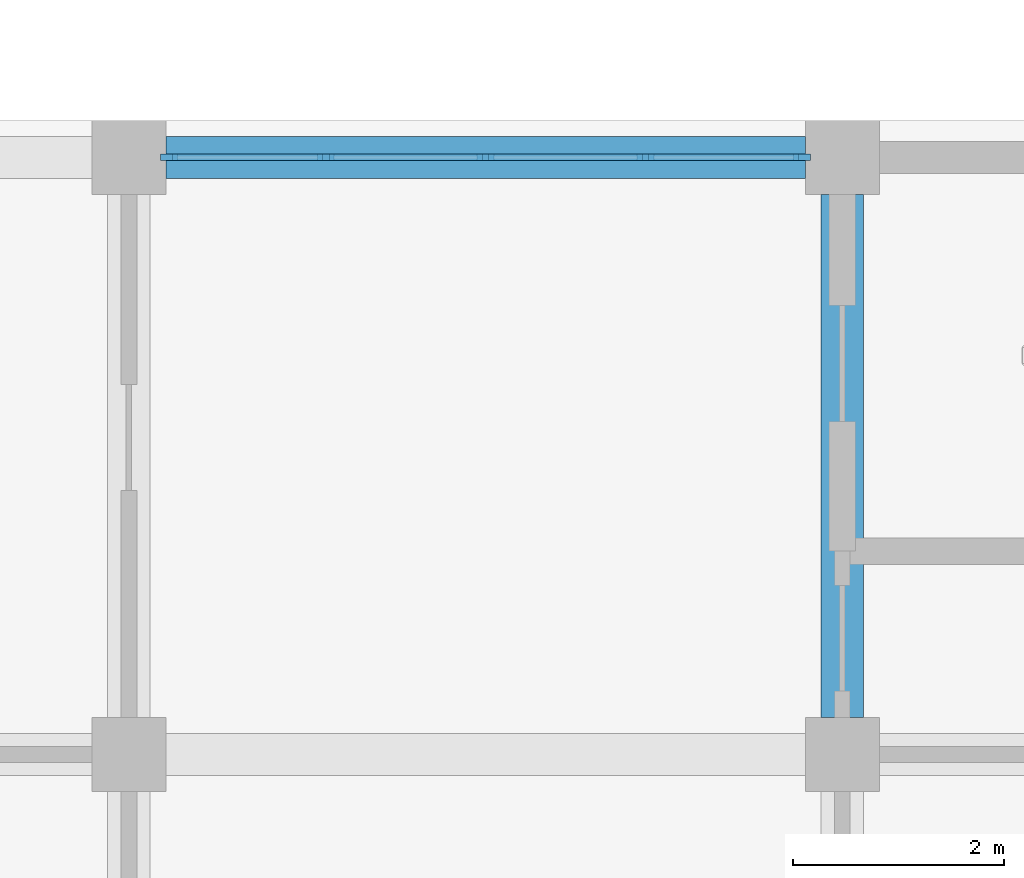
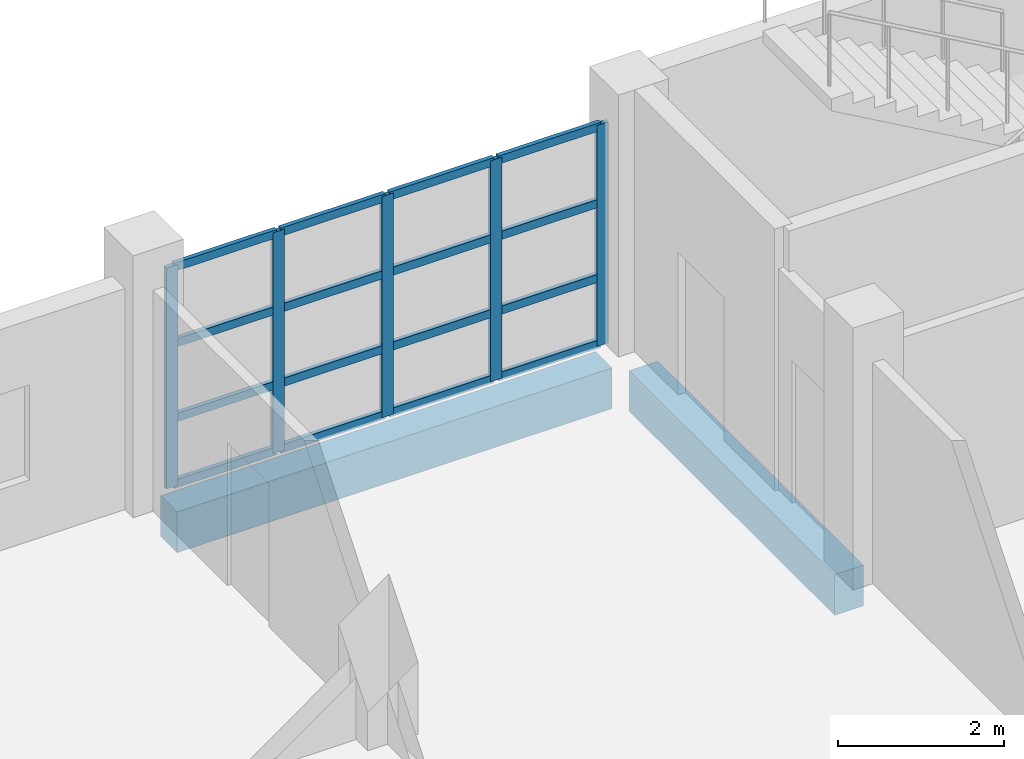
# One storey, part 8 of 31: 21 members, 2 beams, 1 element without a shape of its own.
"""IFC4 building model written with IfcOpenShell, lengths in metres."""

from ifc_helpers import new_model, si_unit, direction, frame, origin, origin_2d, place, context, subcontext, project, spatial, rectangle, extrude, material, layer, layer_set, material_profile, profile_set, type_object, element, aggregate, save


model = new_model("IFC4")

# Units and contexts
model_context = context("Model", 3, precision=1e-05, world=origin(), true_north=direction((0.0, 1.0)))
body_context = subcontext(model_context, "Body", "Model", "MODEL_VIEW")
ifc_project = project(units=[si_unit("LENGTHUNIT", "METRE"), si_unit("AREAUNIT", "SQUARE_METRE"), si_unit("VOLUMEUNIT", "CUBIC_METRE"), si_unit("PLANEANGLEUNIT", "RADIAN"), si_unit("MASSUNIT", "GRAM", prefix="KILO")], contexts=[model_context])

# Site, building, storey
site_placement = place(None, origin())
site = spatial("IfcSite", under=ifc_project, at=site_placement, CompositionType="ELEMENT")
building_placement = place(site_placement, origin())
building = spatial("IfcBuilding", under=site, at=building_placement, Name="Corbel Stack Research Tower", CompositionType="ELEMENT")
storey_placement = place(building_placement, frame((0.0, 0.0, 15.39990234375)))
storey = spatial("IfcBuildingStorey", under=building, at=storey_placement, Name="L03", CompositionType="ELEMENT", Elevation=15.39990234375)

# Curtain wall, members
ifc_material_1 = material(Name="Aluminium", Category="aluminium")
ifc_layer = layer(ifc_material_1, 0.14990234375)
ifc_layer_set = layer_set([ifc_layer], Name="Aluminium")
curtain_wall_type = type_object("IfcCurtainWallType", Name="CW5 main facade curtain wall", PredefinedType="NOTDEFINED", material=ifc_layer_set)
curtain_wall_placement = place(storey_placement, origin())
curtain_wall = element("IfcCurtainWall", 1, at=curtain_wall_placement, inside=storey, type_object=curtain_wall_type, Name="Main facade curtain wall L03 4", PredefinedType="NOTDEFINED")
ifc_material_2 = material(Name="Aluminium", Category="aluminium")
ifc_material_profile_1 = material_profile(ifc_material_2, rectangle(XDim=0.06005859375, YDim=0.159912109375, at=origin_2d()), Name="Mullion 60 x 160")
ifc_profile_set_1 = profile_set([ifc_material_profile_1], Name="Aluminium")
member_type_1 = type_object("IfcMemberType", Name="CW5 mullion 60 x 160", PredefinedType="MULLION", material=ifc_profile_set_1)
member_1_placement = place(storey_placement, frame((87.330078125, 23.64990234375, 0.0), z_axis=(0.0, 0.0, 1.0), x_axis=(0.0, 1.0, 0.0)))
member_1 = element("IfcMember", 2, at=member_1_placement, type_object=member_type_1, Name="CW5 mullion 1", PredefinedType="MULLION", context=body_context, shape_type="SweptSolid", body=[
    extrude(rectangle(XDim=0.06005859375, YDim=0.159912109375, at=origin_2d()), origin(), (0.0, 0.0, 1.0), 3.25),
])
member_2_placement = place(storey_placement, frame((88.8125, 23.64990234375, 0.0), z_axis=(0.0, 0.0, 1.0), x_axis=(0.0, 1.0, 0.0)))
member_2 = element("IfcMember", 3, at=member_2_placement, type_object=member_type_1, Name="CW5 mullion 2", PredefinedType="MULLION", context=body_context, shape_type="SweptSolid", body=[
    extrude(rectangle(XDim=0.06005859375, YDim=0.159912109375, at=origin_2d()), origin(), (0.0, 0.0, 1.0), 3.25),
])
member_3_placement = place(storey_placement, frame((90.324951171875, 23.64990234375, 0.0), z_axis=(0.0, 0.0, 1.0), x_axis=(0.0, 1.0, 0.0)))
member_3 = element("IfcMember", 4, at=member_3_placement, type_object=member_type_1, Name="CW5 mullion 3", PredefinedType="MULLION", context=body_context, shape_type="SweptSolid", body=[
    extrude(rectangle(XDim=0.06005859375, YDim=0.159912109375, at=origin_2d()), origin(), (0.0, 0.0, 1.0), 3.25),
])
member_4_placement = place(storey_placement, frame((91.83740234375, 23.64990234375, 0.0), z_axis=(0.0, 0.0, 1.0), x_axis=(0.0, 1.0, 0.0)))
member_4 = element("IfcMember", 5, at=member_4_placement, type_object=member_type_1, Name="CW5 mullion 4", PredefinedType="MULLION", context=body_context, shape_type="SweptSolid", body=[
    extrude(rectangle(XDim=0.06005859375, YDim=0.159912109375, at=origin_2d()), origin(), (0.0, 0.0, 1.0), 3.25),
])
member_5_placement = place(storey_placement, frame((93.320068359375, 23.64990234375, 0.0), z_axis=(0.0, 0.0, 1.0), x_axis=(0.0, 1.0, 0.0)))
member_5 = element("IfcMember", 6, at=member_5_placement, type_object=member_type_1, Name="CW5 mullion 5", PredefinedType="MULLION", context=body_context, shape_type="SweptSolid", body=[
    extrude(rectangle(XDim=0.06005859375, YDim=0.159912109375, at=origin_2d()), origin(), (0.0, 0.0, 1.0), 3.25),
])
ifc_material_3 = material(Name="Aluminium", Category="aluminium")
ifc_material_profile_2 = material_profile(ifc_material_3, rectangle(XDim=0.06005859375, YDim=0.1201171875, at=origin_2d()), Name="Transom 60 x 120")
ifc_profile_set_2 = profile_set([ifc_material_profile_2], Name="Aluminium")
member_type_2 = type_object("IfcMemberType", Name="CW5 transom 60 x 120", PredefinedType="USERDEFINED", material=ifc_profile_set_2)
member_6_placement = place(storey_placement, frame((87.360107421875, 23.64990234375, 0.030029296875), z_axis=(1.0, 0.0, 0.0), x_axis=(0.0, 1.0, 0.0)))
member_6 = element("IfcMember", 7, at=member_6_placement, type_object=member_type_2, Name="CW5 transom 1.1", ObjectType="TRANSOM", PredefinedType="USERDEFINED", context=body_context, shape_type="SweptSolid", body=[
    extrude(rectangle(XDim=0.06005859375, YDim=0.1201171875, at=origin_2d()), origin(), (0.0, 0.0, 1.0), 1.42236328125),
])
member_7_placement = place(storey_placement, frame((87.360107421875, 23.64990234375, 1.0), z_axis=(1.0, 0.0, 0.0), x_axis=(0.0, 1.0, 0.0)))
member_7 = element("IfcMember", 8, at=member_7_placement, type_object=member_type_2, Name="CW5 transom 1.2", ObjectType="TRANSOM", PredefinedType="USERDEFINED", context=body_context, shape_type="SweptSolid", body=[
    extrude(rectangle(XDim=0.06005859375, YDim=0.1201171875, at=origin_2d()), origin(), (0.0, 0.0, 1.0), 1.42236328125),
])
member_8_placement = place(storey_placement, frame((87.360107421875, 23.64990234375, 2.10009765625), z_axis=(1.0, 0.0, 0.0), x_axis=(0.0, 1.0, 0.0)))
member_8 = element("IfcMember", 9, at=member_8_placement, type_object=member_type_2, Name="CW5 transom 1.3", ObjectType="TRANSOM", PredefinedType="USERDEFINED", context=body_context, shape_type="SweptSolid", body=[
    extrude(rectangle(XDim=0.06005859375, YDim=0.1201171875, at=origin_2d()), origin(), (0.0, 0.0, 1.0), 1.42236328125),
])
member_9_placement = place(storey_placement, frame((87.360107421875, 23.64990234375, 3.22021484375), z_axis=(1.0, 0.0, 0.0), x_axis=(0.0, 1.0, 0.0)))
member_9 = element("IfcMember", 10, at=member_9_placement, type_object=member_type_2, Name="CW5 transom 1.4", ObjectType="TRANSOM", PredefinedType="USERDEFINED", context=body_context, shape_type="SweptSolid", body=[
    extrude(rectangle(XDim=0.06005859375, YDim=0.1201171875, at=origin_2d()), origin(), (0.0, 0.0, 1.0), 1.42236328125),
])
member_10_placement = place(storey_placement, frame((88.842529296875, 23.64990234375, 0.030029296875), z_axis=(1.0, 0.0, 0.0), x_axis=(0.0, 1.0, 0.0)))
member_10 = element("IfcMember", 11, at=member_10_placement, type_object=member_type_2, Name="CW5 transom 2.1", ObjectType="TRANSOM", PredefinedType="USERDEFINED", context=body_context, shape_type="SweptSolid", body=[
    extrude(rectangle(XDim=0.06005859375, YDim=0.1201171875, at=origin_2d()), origin(), (0.0, 0.0, 1.0), 1.452392578125),
])
member_11_placement = place(storey_placement, frame((88.842529296875, 23.64990234375, 1.0), z_axis=(1.0, 0.0, 0.0), x_axis=(0.0, 1.0, 0.0)))
member_11 = element("IfcMember", 12, at=member_11_placement, type_object=member_type_2, Name="CW5 transom 2.2", ObjectType="TRANSOM", PredefinedType="USERDEFINED", context=body_context, shape_type="SweptSolid", body=[
    extrude(rectangle(XDim=0.06005859375, YDim=0.1201171875, at=origin_2d()), origin(), (0.0, 0.0, 1.0), 1.452392578125),
])
member_12_placement = place(storey_placement, frame((88.842529296875, 23.64990234375, 2.10009765625), z_axis=(1.0, 0.0, 0.0), x_axis=(0.0, 1.0, 0.0)))
member_12 = element("IfcMember", 13, at=member_12_placement, type_object=member_type_2, Name="CW5 transom 2.3", ObjectType="TRANSOM", PredefinedType="USERDEFINED", context=body_context, shape_type="SweptSolid", body=[
    extrude(rectangle(XDim=0.06005859375, YDim=0.1201171875, at=origin_2d()), origin(), (0.0, 0.0, 1.0), 1.452392578125),
])
member_13_placement = place(storey_placement, frame((88.842529296875, 23.64990234375, 3.22021484375), z_axis=(1.0, 0.0, 0.0), x_axis=(0.0, 1.0, 0.0)))
member_13 = element("IfcMember", 14, at=member_13_placement, type_object=member_type_2, Name="CW5 transom 2.4", ObjectType="TRANSOM", PredefinedType="USERDEFINED", context=body_context, shape_type="SweptSolid", body=[
    extrude(rectangle(XDim=0.06005859375, YDim=0.1201171875, at=origin_2d()), origin(), (0.0, 0.0, 1.0), 1.452392578125),
])
member_14_placement = place(storey_placement, frame((90.35498046875, 23.64990234375, 0.030029296875), z_axis=(1.0, 0.0, 0.0), x_axis=(0.0, 1.0, 0.0)))
member_14 = element("IfcMember", 15, at=member_14_placement, type_object=member_type_2, Name="CW5 transom 3.1", ObjectType="TRANSOM", PredefinedType="USERDEFINED", context=body_context, shape_type="SweptSolid", body=[
    extrude(rectangle(XDim=0.06005859375, YDim=0.1201171875, at=origin_2d()), origin(), (0.0, 0.0, 1.0), 1.45263671875),
])
member_15_placement = place(storey_placement, frame((90.35498046875, 23.64990234375, 1.0), z_axis=(1.0, 0.0, 0.0), x_axis=(0.0, 1.0, 0.0)))
member_15 = element("IfcMember", 16, at=member_15_placement, type_object=member_type_2, Name="CW5 transom 3.2", ObjectType="TRANSOM", PredefinedType="USERDEFINED", context=body_context, shape_type="SweptSolid", body=[
    extrude(rectangle(XDim=0.06005859375, YDim=0.1201171875, at=origin_2d()), origin(), (0.0, 0.0, 1.0), 1.45263671875),
])
member_16_placement = place(storey_placement, frame((90.35498046875, 23.64990234375, 2.10009765625), z_axis=(1.0, 0.0, 0.0), x_axis=(0.0, 1.0, 0.0)))
member_16 = element("IfcMember", 17, at=member_16_placement, type_object=member_type_2, Name="CW5 transom 3.3", ObjectType="TRANSOM", PredefinedType="USERDEFINED", context=body_context, shape_type="SweptSolid", body=[
    extrude(rectangle(XDim=0.06005859375, YDim=0.1201171875, at=origin_2d()), origin(), (0.0, 0.0, 1.0), 1.45263671875),
])
member_17_placement = place(storey_placement, frame((90.35498046875, 23.64990234375, 3.22021484375), z_axis=(1.0, 0.0, 0.0), x_axis=(0.0, 1.0, 0.0)))
member_17 = element("IfcMember", 18, at=member_17_placement, type_object=member_type_2, Name="CW5 transom 3.4", ObjectType="TRANSOM", PredefinedType="USERDEFINED", context=body_context, shape_type="SweptSolid", body=[
    extrude(rectangle(XDim=0.06005859375, YDim=0.1201171875, at=origin_2d()), origin(), (0.0, 0.0, 1.0), 1.45263671875),
])
member_18_placement = place(storey_placement, frame((91.867431640625, 23.64990234375, 0.030029296875), z_axis=(1.0, 0.0, 0.0), x_axis=(0.0, 1.0, 0.0)))
member_18 = element("IfcMember", 19, at=member_18_placement, type_object=member_type_2, Name="CW5 transom 4.1", ObjectType="TRANSOM", PredefinedType="USERDEFINED", context=body_context, shape_type="SweptSolid", body=[
    extrude(rectangle(XDim=0.06005859375, YDim=0.1201171875, at=origin_2d()), origin(), (0.0, 0.0, 1.0), 1.422607421875),
])
member_19_placement = place(storey_placement, frame((91.867431640625, 23.64990234375, 1.0), z_axis=(1.0, 0.0, 0.0), x_axis=(0.0, 1.0, 0.0)))
member_19 = element("IfcMember", 20, at=member_19_placement, type_object=member_type_2, Name="CW5 transom 4.2", ObjectType="TRANSOM", PredefinedType="USERDEFINED", context=body_context, shape_type="SweptSolid", body=[
    extrude(rectangle(XDim=0.06005859375, YDim=0.1201171875, at=origin_2d()), origin(), (0.0, 0.0, 1.0), 1.422607421875),
])
member_20_placement = place(storey_placement, frame((91.867431640625, 23.64990234375, 2.10009765625), z_axis=(1.0, 0.0, 0.0), x_axis=(0.0, 1.0, 0.0)))
member_20 = element("IfcMember", 21, at=member_20_placement, type_object=member_type_2, Name="CW5 transom 4.3", ObjectType="TRANSOM", PredefinedType="USERDEFINED", context=body_context, shape_type="SweptSolid", body=[
    extrude(rectangle(XDim=0.06005859375, YDim=0.1201171875, at=origin_2d()), origin(), (0.0, 0.0, 1.0), 1.422607421875),
])
member_21_placement = place(storey_placement, frame((91.867431640625, 23.64990234375, 3.22021484375), z_axis=(1.0, 0.0, 0.0), x_axis=(0.0, 1.0, 0.0)))
member_21 = element("IfcMember", 22, at=member_21_placement, type_object=member_type_2, Name="CW5 transom 4.4", ObjectType="TRANSOM", PredefinedType="USERDEFINED", context=body_context, shape_type="SweptSolid", body=[
    extrude(rectangle(XDim=0.06005859375, YDim=0.1201171875, at=origin_2d()), origin(), (0.0, 0.0, 1.0), 1.422607421875),
])
aggregate(curtain_wall, [member_1, member_2, member_3, member_4, member_5, member_6, member_7, member_8, member_9, member_10, member_11, member_12, member_13, member_14, member_15, member_16, member_17, member_18, member_19, member_20, member_21])

# Beams
ifc_material_4 = material(Name="Concrete C40/50", Category="concrete")
ifc_material_profile_3 = material_profile(ifc_material_4, rectangle(XDim=0.39990234375, YDim=0.60009765625, at=origin_2d()), Name="RC 400 x 600")
ifc_profile_set_3 = profile_set([ifc_material_profile_3], Name="Concrete C40/50")
beam_type = type_object("IfcBeamType", Name="HB1 RC beam 400 x 600", PredefinedType="BEAM", material=ifc_profile_set_3)
beam_1_placement = place(storey_placement, frame((87.300048828125, 23.64990234375, -0.5498046875), z_axis=(1.0, 0.0, 0.0), x_axis=(0.0, 1.0, 0.0)))
element("IfcBeam", 23, at=beam_1_placement, inside=storey, type_object=beam_type, Name="Floor beam L03 H7HG-H8HG", PredefinedType="BEAM", context=body_context, shape_type="SweptSolid", body=[
    extrude(rectangle(XDim=0.39990234375, YDim=0.60009765625, at=origin_2d()), origin(), (0.0, 0.0, 1.0), 6.050048828125),
])
beam_2_placement = place(storey_placement, frame((93.699951171875, 18.35009765625, -0.5498046875), z_axis=(0.0, 1.0, 0.0), x_axis=(-1.0, 0.0, 0.0)))
element("IfcBeam", 24, at=beam_2_placement, inside=storey, type_object=beam_type, Name="Floor beam L03 H8HF-H8HG", PredefinedType="BEAM", context=body_context, shape_type="SweptSolid", body=[
    extrude(rectangle(XDim=0.39990234375, YDim=0.60009765625, at=origin_2d()), origin(), (0.0, 0.0, 1.0), 4.949951171875),
])

save(model, "model.ifc")
